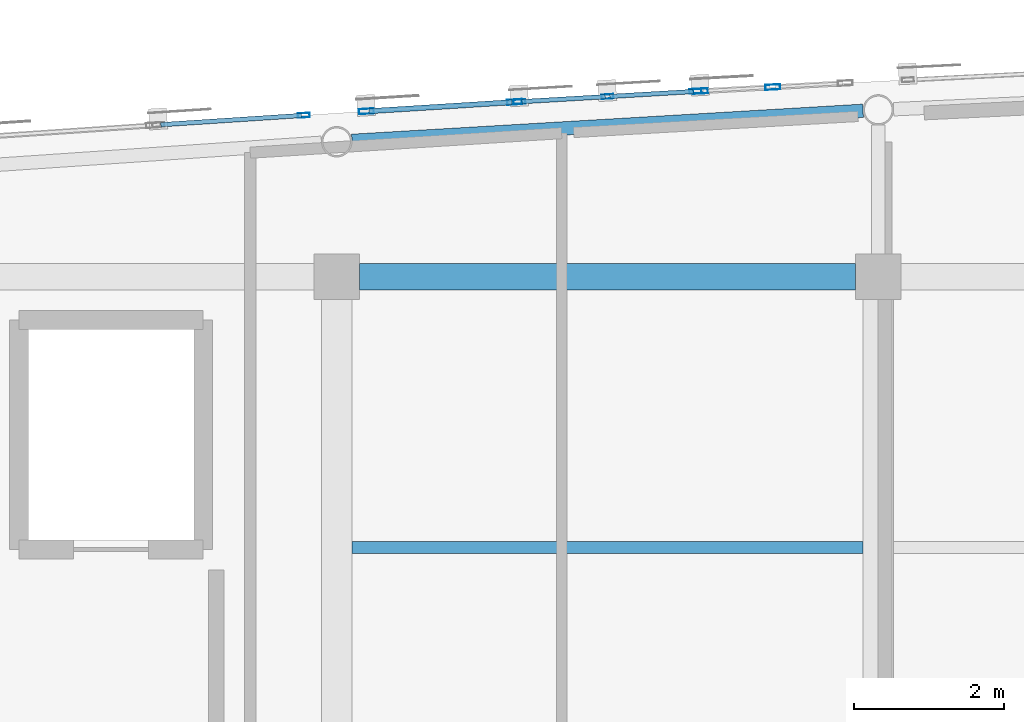
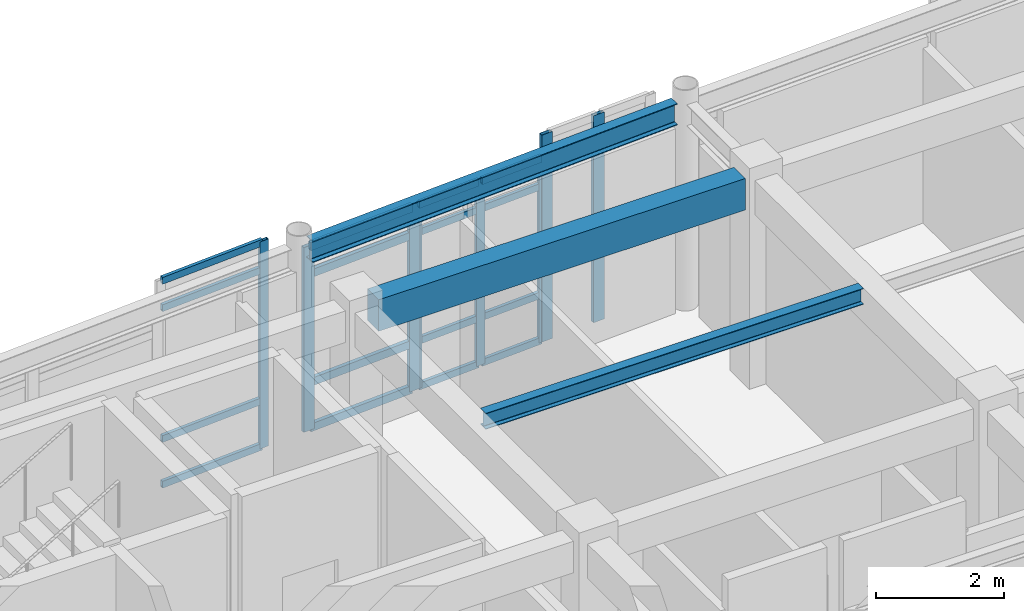
# One storey, part 42 of 113: 24 members, 3 beams, 4 elements without a shape of their own.
"""IFC4 building model written with IfcOpenShell, lengths in metres."""

from ifc_helpers import new_model, si_unit, direction, frame, origin, origin_2d, place, context, subcontext, project, spatial, rectangle, hollow_rectangle, i_section, extrude, material, layer, layer_set, material_profile, profile_set, type_object, element, aggregate, save


model = new_model("IFC4")

# Units and contexts
model_context = context("Model", 3, precision=1e-05, world=origin(), true_north=direction((0.0, 1.0)))
body_context = subcontext(model_context, "Body", "Model", "MODEL_VIEW")
ifc_project = project(units=[si_unit("LENGTHUNIT", "METRE"), si_unit("AREAUNIT", "SQUARE_METRE"), si_unit("VOLUMEUNIT", "CUBIC_METRE"), si_unit("PLANEANGLEUNIT", "RADIAN"), si_unit("MASSUNIT", "GRAM", prefix="KILO")], contexts=[model_context])

# Site, building, storey
site_placement = place(None, origin())
site = spatial("IfcSite", under=ifc_project, at=site_placement, CompositionType="ELEMENT")
building_placement = place(site_placement, origin())
building = spatial("IfcBuilding", under=site, at=building_placement, Name="Carrowvane Square Congress Hotel", CompositionType="ELEMENT")
storey_placement = place(building_placement, frame((0.0, 0.0, 15.0)))
storey = spatial("IfcBuildingStorey", under=building, at=storey_placement, Name="L03", CompositionType="ELEMENT", Elevation=15.0)

# Beams
ifc_material_1 = material(Name="Concrete C35/45", Category="concrete")
ifc_material_profile_1 = material_profile(ifc_material_1, rectangle(XDim=0.35009765625, YDim=0.60009765625, at=origin_2d()), Name="RC 350x600")
ifc_profile_set_1 = profile_set([ifc_material_profile_1], Name="Concrete C35/45")
beam_type_1 = type_object("IfcBeamType", Name="BM-RC-350x600", PredefinedType="BEAM", material=ifc_profile_set_1)
beam_1_placement = place(storey_placement, frame((69.5, 113.39990234375, 3.639892578125), z_axis=(1.0, 0.0, 0.0), x_axis=(0.0, 1.0, 0.0)))
element("IfcBeam", 1, at=beam_1_placement, inside=storey, type_object=beam_type_1, Name="L04 girder R/9-10", PredefinedType="BEAM", context=body_context, shape_type="SweptSolid", body=[
    extrude(rectangle(XDim=0.35009765625, YDim=0.60009765625, at=origin_2d()), origin(), (0.0, 0.0, 1.0), 6.60009765625),
])
ifc_material_2 = material(Name="Steel S355", Category="steel")
ifc_material_profile_2 = material_profile(ifc_material_2, i_section(OverallWidth=0.165771484375, OverallDepth=0.306640625, WebThickness=0.006591796875, FlangeThickness=0.01171875, FilletRadius=0.0087890625, at=origin_2d()), Name="UKB 305x165x46")
ifc_profile_set_2 = profile_set([ifc_material_profile_2], Name="Steel S355")
beam_type_2 = type_object("IfcBeamType", Name="BM-ST-UKB305", PredefinedType="JOIST", material=ifc_profile_set_2)
beam_2_placement = place(storey_placement, frame((69.39990234375, 109.800048828125, 3.78662109375), z_axis=(1.0, 0.0, 0.0), x_axis=(0.0, 1.0, 0.0)))
element("IfcBeam", 2, at=beam_2_placement, inside=storey, type_object=beam_type_2, Name="L04 secondary joist 9-10", PredefinedType="JOIST", context=body_context, shape_type="SweptSolid", body=[
    extrude(i_section(OverallWidth=0.165771484375, OverallDepth=0.306640625, WebThickness=0.006591796875, FlangeThickness=0.01171875, FilletRadius=0.0087890625, at=origin_2d()), origin(), (0.0, 0.0, 1.0), 6.800048828125),
])
ifc_material_3 = material(Name="Steel S355", Category="steel")
ifc_material_profile_3 = material_profile(ifc_material_3, i_section(OverallWidth=0.1787109375, OverallDepth=0.409423828125, WebThickness=0.0087890625, FlangeThickness=0.014404296875, FilletRadius=0.01025390625, at=origin_2d()), Name="UKB 406x178x67")
ifc_profile_set_3 = profile_set([ifc_material_profile_3], Name="Steel S355")
beam_type_3 = type_object("IfcBeamType", Name="BM-ST-UKB406", PredefinedType="BEAM", material=ifc_profile_set_3)
beam_3_placement = place(storey_placement, frame((69.40283203125, 115.206298828125, 3.7353515625), z_axis=(0.998276598904, 0.058684172325, 0.0), x_axis=(-0.058684172325, 0.998276598904, 0.0)))
element("IfcBeam", 3, at=beam_3_placement, inside=storey, type_object=beam_type_3, Name="L04 curved north spandrel", PredefinedType="BEAM", context=body_context, shape_type="SweptSolid", body=[
    extrude(i_section(OverallWidth=0.1787109375, OverallDepth=0.409423828125, WebThickness=0.0087890625, FlangeThickness=0.014404296875, FilletRadius=0.01025390625, at=origin_2d()), origin(), (0.0, 0.0, 1.0), 6.80615234375),
])

# Curtain wall, member
ifc_material_4 = material(Name="Anodised aluminium", Category="aluminium")
ifc_layer_1 = layer(ifc_material_4, 0.2099609375)
ifc_layer_set_1 = layer_set([ifc_layer_1], Name="Anodised aluminium")
curtain_wall_type_1 = type_object("IfcCurtainWallType", Name="CW-SYS-5", PredefinedType="NOTDEFINED", material=ifc_layer_set_1)
curtain_wall_1_placement = place(storey_placement, origin())
curtain_wall_1 = element("IfcCurtainWall", 4, at=curtain_wall_1_placement, inside=storey, type_object=curtain_wall_type_1, Name="L03 unitised curtain wall 204", PredefinedType="NOTDEFINED")
ifc_material_5 = material(Name="Anodised aluminium", Category="aluminium")
ifc_material_profile_4 = material_profile(ifc_material_5, hollow_rectangle(XDim=0.06005859375, YDim=0.159912109375, WallThickness=0.00390625, at=origin_2d()), Name="CW-ML 60x160x4")
ifc_profile_set_4 = profile_set([ifc_material_profile_4], Name="Anodised aluminium")
member_type_1 = type_object("IfcMemberType", Name="CW-MUL-1", PredefinedType="MULLION", material=ifc_profile_set_4)
member_1_placement = place(storey_placement, frame((68.761474609375, 115.545654296875, 0.0), z_axis=(0.0, 0.0, 1.0), x_axis=(-0.065412223074, 0.997858327155, 0.0)))
member_1 = element("IfcMember", 5, at=member_1_placement, type_object=member_type_1, Name="CW-5 mullion 2", PredefinedType="MULLION", context=body_context, shape_type="SweptSolid", body=[
    extrude(hollow_rectangle(XDim=0.06005859375, YDim=0.159912109375, WallThickness=0.00390625, at=origin_2d()), origin(), (0.0, 0.0, 1.0), 3.93994140625),
])

# Curtain wall, members
ifc_material_6 = material(Name="Anodised aluminium", Category="aluminium")
ifc_layer_2 = layer(ifc_material_6, 0.23388671875)
ifc_layer_set_2 = layer_set([ifc_layer_2], Name="Anodised aluminium")
curtain_wall_type_2 = type_object("IfcCurtainWallType", Name="CW-SYS-7", PredefinedType="NOTDEFINED", material=ifc_layer_set_2)
curtain_wall_2_placement = place(storey_placement, origin())
curtain_wall_2 = element("IfcCurtainWall", 6, at=curtain_wall_2_placement, inside=storey, type_object=curtain_wall_type_2, Name="L03 unitised curtain wall 206", PredefinedType="NOTDEFINED")
member_2_placement = place(storey_placement, frame((71.6298828125, 115.72607421875, 0.0), z_axis=(0.0, 0.0, 1.0), x_axis=(-0.058851249486, 0.998266763162, 0.0)))
member_2 = element("IfcMember", 7, at=member_2_placement, type_object=member_type_1, Name="CW-7 mullion 1", PredefinedType="MULLION", context=body_context, shape_type="SweptSolid", body=[
    extrude(hollow_rectangle(XDim=0.06005859375, YDim=0.159912109375, WallThickness=0.00390625, at=origin_2d()), origin(), (0.0, 0.0, 1.0), 3.515625),
])
member_3_placement = place(storey_placement, frame((72.800048828125, 115.795166015625, 0.0), z_axis=(0.0, 0.0, 1.0), x_axis=(-0.058851249486, 0.998266763162, 0.0)))
member_3 = element("IfcMember", 8, at=member_3_placement, type_object=member_type_1, Name="CW-7 mullion 2", PredefinedType="MULLION", context=body_context, shape_type="SweptSolid", body=[
    extrude(hollow_rectangle(XDim=0.06005859375, YDim=0.159912109375, WallThickness=0.00390625, at=origin_2d()), origin(), (0.0, 0.0, 1.0), 3.515625),
])
member_4_placement = place(storey_placement, frame((73.969970703125, 115.864013671875, 0.0), z_axis=(0.0, 0.0, 1.0), x_axis=(-0.058851249486, 0.998266763162, 0.0)))
member_4 = element("IfcMember", 9, at=member_4_placement, type_object=member_type_1, Name="CW-7 mullion 3", PredefinedType="MULLION", context=body_context, shape_type="SweptSolid", body=[
    extrude(hollow_rectangle(XDim=0.06005859375, YDim=0.159912109375, WallThickness=0.00390625, at=origin_2d()), origin(), (0.0, 0.0, 1.0), 3.515625),
])

ifc_material_7 = material(Name="Anodised aluminium", Category="aluminium")
ifc_layer_3 = layer(ifc_material_7, 0.221923828125)
ifc_layer_set_3 = layer_set([ifc_layer_3], Name="Anodised aluminium")
curtain_wall_type_3 = type_object("IfcCurtainWallType", Name="CW-SYS-6", PredefinedType="NOTDEFINED", material=ifc_layer_set_3)
curtain_wall_3_placement = place(storey_placement, origin())
curtain_wall_3 = element("IfcCurtainWall", 10, at=curtain_wall_3_placement, inside=storey, type_object=curtain_wall_type_3, Name="L03 unitised curtain wall 205", PredefinedType="NOTDEFINED")
ifc_material_8 = material(Name="Anodised aluminium", Category="aluminium")
ifc_material_profile_5 = material_profile(ifc_material_8, hollow_rectangle(XDim=0.070068359375, YDim=0.199951171875, WallThickness=0.0048828125, at=origin_2d()), Name="CW-ML 70x200x5")
ifc_profile_set_5 = profile_set([ifc_material_profile_5], Name="Anodised aluminium")
member_type_2 = type_object("IfcMemberType", Name="CW-MUL-2", PredefinedType="MULLION", material=ifc_profile_set_5)
member_5_placement = place(storey_placement, frame((69.594970703125, 115.598876953125, 0.0), z_axis=(0.0, 0.0, 1.0), x_axis=(-0.062397474952, 0.998051378998, 0.0)))
member_5 = element("IfcMember", 11, at=member_5_placement, type_object=member_type_2, Name="CW-6 mullion 1", PredefinedType="MULLION", context=body_context, shape_type="SweptSolid", body=[
    extrude(hollow_rectangle(XDim=0.070068359375, YDim=0.199951171875, WallThickness=0.0048828125, at=origin_2d()), origin(), (0.0, 0.0, 1.0), 3.515625),
])
member_6_placement = place(storey_placement, frame((71.565185546875, 115.72216796875, 0.0), z_axis=(0.0, 0.0, 1.0), x_axis=(-0.062397474952, 0.998051378998, 0.0)))
member_6 = element("IfcMember", 12, at=member_6_placement, type_object=member_type_2, Name="CW-6 mullion 2", PredefinedType="MULLION", context=body_context, shape_type="SweptSolid", body=[
    extrude(hollow_rectangle(XDim=0.070068359375, YDim=0.199951171875, WallThickness=0.0048828125, at=origin_2d()), origin(), (0.0, 0.0, 1.0), 3.515625),
])

ifc_material_9 = material(Name="Anodised aluminium", Category="aluminium")
ifc_layer_4 = layer(ifc_material_9, 0.24609375)
ifc_layer_set_4 = layer_set([ifc_layer_4], Name="Anodised aluminium")
curtain_wall_type_4 = type_object("IfcCurtainWallType", Name="CW-SYS-8", PredefinedType="NOTDEFINED", material=ifc_layer_set_4)
curtain_wall_4_placement = place(storey_placement, origin())
curtain_wall_4 = element("IfcCurtainWall", 13, at=curtain_wall_4_placement, inside=storey, type_object=curtain_wall_type_4, Name="L03 unitised curtain wall 207", PredefinedType="NOTDEFINED")
member_7_placement = place(storey_placement, frame((74.034912109375, 115.86767578125, 0.0), z_axis=(0.0, 0.0, 1.0), x_axis=(-0.054815980317, 0.998496473856, 0.0)))
member_7 = element("IfcMember", 14, at=member_7_placement, type_object=member_type_2, Name="CW-8 mullion 1", PredefinedType="MULLION", context=body_context, shape_type="SweptSolid", body=[
    extrude(hollow_rectangle(XDim=0.070068359375, YDim=0.199951171875, WallThickness=0.0048828125, at=origin_2d()), origin(), (0.0, 0.0, 1.0), 3.93994140625),
])
member_8_placement = place(storey_placement, frame((74.997802734375, 115.920654296875, 0.0), z_axis=(0.0, 0.0, 1.0), x_axis=(-0.054815980317, 0.998496473856, 0.0)))
member_8 = element("IfcMember", 15, at=member_8_placement, type_object=member_type_2, Name="CW-8 mullion 2", PredefinedType="MULLION", context=body_context, shape_type="SweptSolid", body=[
    extrude(hollow_rectangle(XDim=0.070068359375, YDim=0.199951171875, WallThickness=0.0048828125, at=origin_2d()), origin(), (0.0, 0.0, 1.0), 3.93994140625),
])
aggregate(curtain_wall_4, [member_7, member_8])

# Member
ifc_material_10 = material(Name="Anodised aluminium", Category="aluminium")
ifc_material_profile_6 = material_profile(ifc_material_10, hollow_rectangle(XDim=0.06005859375, YDim=0.1298828125, WallThickness=0.00390625, at=origin_2d()), Name="CW-TR 60x130x4")
ifc_profile_set_6 = profile_set([ifc_material_profile_6], Name="Anodised aluminium")
member_type_3 = type_object("IfcMemberType", Name="CW-TRN-1", PredefinedType="USERDEFINED", material=ifc_profile_set_6)
member_9_placement = place(storey_placement, frame((66.85986328125, 115.4208984375, 0.030029296875), z_axis=(0.997854858908, 0.065465109434, 0.0), x_axis=(-0.065465109434, 0.997854858908, 0.0)))
member_9 = element("IfcMember", 16, at=member_9_placement, type_object=member_type_3, Name="CW-5 transom 1.1", ObjectType="TRANSOM", PredefinedType="USERDEFINED", context=body_context, shape_type="SweptSolid", body=[
    extrude(hollow_rectangle(XDim=0.06005859375, YDim=0.1298828125, WallThickness=0.00390625, at=origin_2d()), origin(), (0.0, 0.0, 1.0), 1.875732421875),
])

member_10_placement = place(storey_placement, frame((66.85986328125, 115.4208984375, 0.89990234375), z_axis=(0.997854858908, 0.065465109434, 0.0), x_axis=(-0.065465109434, 0.997854858908, 0.0)))
member_10 = element("IfcMember", 17, at=member_10_placement, type_object=member_type_3, Name="CW-5 transom 1.2", ObjectType="TRANSOM", PredefinedType="USERDEFINED", context=body_context, shape_type="SweptSolid", body=[
    extrude(hollow_rectangle(XDim=0.06005859375, YDim=0.1298828125, WallThickness=0.00390625, at=origin_2d()), origin(), (0.0, 0.0, 1.0), 1.875732421875),
])

member_11_placement = place(storey_placement, frame((66.85986328125, 115.4208984375, 3.389892578125), z_axis=(0.997854858908, 0.065465109434, 0.0), x_axis=(-0.065465109434, 0.997854858908, 0.0)))
member_11 = element("IfcMember", 18, at=member_11_placement, type_object=member_type_3, Name="CW-5 transom 1.3", ObjectType="TRANSOM", PredefinedType="USERDEFINED", context=body_context, shape_type="SweptSolid", body=[
    extrude(hollow_rectangle(XDim=0.06005859375, YDim=0.1298828125, WallThickness=0.00390625, at=origin_2d()), origin(), (0.0, 0.0, 1.0), 1.875732421875),
])

member_12_placement = place(storey_placement, frame((66.85986328125, 115.4208984375, 3.909912109375), z_axis=(0.997854858908, 0.065465109434, 0.0), x_axis=(-0.065465109434, 0.997854858908, 0.0)))
member_12 = element("IfcMember", 19, at=member_12_placement, type_object=member_type_3, Name="CW-5 transom 1.4", ObjectType="TRANSOM", PredefinedType="USERDEFINED", context=body_context, shape_type="SweptSolid", body=[
    extrude(hollow_rectangle(XDim=0.06005859375, YDim=0.1298828125, WallThickness=0.00390625, at=origin_2d()), origin(), (0.0, 0.0, 1.0), 1.875732421875),
])

aggregate(curtain_wall_1, [member_1, member_9, member_10, member_11, member_12])

member_13_placement = place(storey_placement, frame((71.659912109375, 115.727783203125, 0.030029296875), z_axis=(0.998267553014, 0.058837850057, 0.0), x_axis=(-0.058837850057, 0.998267553014, 0.0)))
member_13 = element("IfcMember", 20, at=member_13_placement, type_object=member_type_3, Name="CW-7 transom 1.1", ObjectType="TRANSOM", PredefinedType="USERDEFINED", context=body_context, shape_type="SweptSolid", body=[
    extrude(hollow_rectangle(XDim=0.06005859375, YDim=0.1298828125, WallThickness=0.00390625, at=origin_2d()), origin(), (0.0, 0.0, 1.0), 1.112060546875),
])

member_14_placement = place(storey_placement, frame((71.659912109375, 115.727783203125, 0.89990234375), z_axis=(0.998267553014, 0.058837850057, 0.0), x_axis=(-0.058837850057, 0.998267553014, 0.0)))
member_14 = element("IfcMember", 21, at=member_14_placement, type_object=member_type_3, Name="CW-7 transom 1.2", ObjectType="TRANSOM", PredefinedType="USERDEFINED", context=body_context, shape_type="SweptSolid", body=[
    extrude(hollow_rectangle(XDim=0.06005859375, YDim=0.1298828125, WallThickness=0.00390625, at=origin_2d()), origin(), (0.0, 0.0, 1.0), 1.112060546875),
])

member_15_placement = place(storey_placement, frame((71.659912109375, 115.727783203125, 2.965576171875), z_axis=(0.998267553014, 0.058837850057, 0.0), x_axis=(-0.058837850057, 0.998267553014, 0.0)))
member_15 = element("IfcMember", 22, at=member_15_placement, type_object=member_type_3, Name="CW-7 transom 1.3", ObjectType="TRANSOM", PredefinedType="USERDEFINED", context=body_context, shape_type="SweptSolid", body=[
    extrude(hollow_rectangle(XDim=0.06005859375, YDim=0.1298828125, WallThickness=0.00390625, at=origin_2d()), origin(), (0.0, 0.0, 1.0), 1.112060546875),
])

member_16_placement = place(storey_placement, frame((71.659912109375, 115.727783203125, 3.485595703125), z_axis=(0.998267553014, 0.058837850057, 0.0), x_axis=(-0.058837850057, 0.998267553014, 0.0)))
member_16 = element("IfcMember", 23, at=member_16_placement, type_object=member_type_3, Name="CW-7 transom 1.4", ObjectType="TRANSOM", PredefinedType="USERDEFINED", context=body_context, shape_type="SweptSolid", body=[
    extrude(hollow_rectangle(XDim=0.06005859375, YDim=0.1298828125, WallThickness=0.00390625, at=origin_2d()), origin(), (0.0, 0.0, 1.0), 1.112060546875),
])

member_17_placement = place(storey_placement, frame((72.830078125, 115.796875, 0.030029296875), z_axis=(0.998267553014, 0.058837850057, 0.0), x_axis=(-0.058837850057, 0.998267553014, 0.0)))
member_17 = element("IfcMember", 24, at=member_17_placement, type_object=member_type_3, Name="CW-7 transom 2.1", ObjectType="TRANSOM", PredefinedType="USERDEFINED", context=body_context, shape_type="SweptSolid", body=[
    extrude(hollow_rectangle(XDim=0.06005859375, YDim=0.1298828125, WallThickness=0.00390625, at=origin_2d()), origin(), (0.0, 0.0, 1.0), 1.112060546875),
])

member_18_placement = place(storey_placement, frame((72.830078125, 115.796875, 0.89990234375), z_axis=(0.998267553014, 0.058837850057, 0.0), x_axis=(-0.058837850057, 0.998267553014, 0.0)))
member_18 = element("IfcMember", 25, at=member_18_placement, type_object=member_type_3, Name="CW-7 transom 2.2", ObjectType="TRANSOM", PredefinedType="USERDEFINED", context=body_context, shape_type="SweptSolid", body=[
    extrude(hollow_rectangle(XDim=0.06005859375, YDim=0.1298828125, WallThickness=0.00390625, at=origin_2d()), origin(), (0.0, 0.0, 1.0), 1.112060546875),
])

member_19_placement = place(storey_placement, frame((72.830078125, 115.796875, 2.965576171875), z_axis=(0.998267553014, 0.058837850057, 0.0), x_axis=(-0.058837850057, 0.998267553014, 0.0)))
member_19 = element("IfcMember", 26, at=member_19_placement, type_object=member_type_3, Name="CW-7 transom 2.3", ObjectType="TRANSOM", PredefinedType="USERDEFINED", context=body_context, shape_type="SweptSolid", body=[
    extrude(hollow_rectangle(XDim=0.06005859375, YDim=0.1298828125, WallThickness=0.00390625, at=origin_2d()), origin(), (0.0, 0.0, 1.0), 1.112060546875),
])

member_20_placement = place(storey_placement, frame((72.830078125, 115.796875, 3.485595703125), z_axis=(0.998267553014, 0.058837850057, 0.0), x_axis=(-0.058837850057, 0.998267553014, 0.0)))
member_20 = element("IfcMember", 27, at=member_20_placement, type_object=member_type_3, Name="CW-7 transom 2.4", ObjectType="TRANSOM", PredefinedType="USERDEFINED", context=body_context, shape_type="SweptSolid", body=[
    extrude(hollow_rectangle(XDim=0.06005859375, YDim=0.1298828125, WallThickness=0.00390625, at=origin_2d()), origin(), (0.0, 0.0, 1.0), 1.112060546875),
])

aggregate(curtain_wall_2, [member_2, member_3, member_4, member_13, member_14, member_15, member_16, member_17, member_18, member_19, member_20])

ifc_material_11 = material(Name="Anodised aluminium", Category="aluminium")
ifc_material_profile_7 = material_profile(ifc_material_11, hollow_rectangle(XDim=0.070068359375, YDim=0.14990234375, WallThickness=0.0048828125, at=origin_2d()), Name="CW-TR 70x150x5")
ifc_profile_set_7 = profile_set([ifc_material_profile_7], Name="Anodised aluminium")
member_type_4 = type_object("IfcMemberType", Name="CW-TRN-2", PredefinedType="USERDEFINED", material=ifc_profile_set_7)
member_21_placement = place(storey_placement, frame((69.6298828125, 115.60107421875, 0.034912109375), z_axis=(0.998048085199, 0.062450137157, 0.0), x_axis=(-0.062450137157, 0.998048085199, 0.0)))
member_21 = element("IfcMember", 28, at=member_21_placement, type_object=member_type_4, Name="CW-6 transom 1.1", ObjectType="TRANSOM", PredefinedType="USERDEFINED", context=body_context, shape_type="SweptSolid", body=[
    extrude(hollow_rectangle(XDim=0.070068359375, YDim=0.14990234375, WallThickness=0.0048828125, at=origin_2d()), origin(), (0.0, 0.0, 1.0), 1.90380859375),
])

member_22_placement = place(storey_placement, frame((69.6298828125, 115.60107421875, 0.89990234375), z_axis=(0.998048085199, 0.062450137157, 0.0), x_axis=(-0.062450137157, 0.998048085199, 0.0)))
member_22 = element("IfcMember", 29, at=member_22_placement, type_object=member_type_4, Name="CW-6 transom 1.2", ObjectType="TRANSOM", PredefinedType="USERDEFINED", context=body_context, shape_type="SweptSolid", body=[
    extrude(hollow_rectangle(XDim=0.070068359375, YDim=0.14990234375, WallThickness=0.0048828125, at=origin_2d()), origin(), (0.0, 0.0, 1.0), 1.90380859375),
])

member_23_placement = place(storey_placement, frame((69.6298828125, 115.60107421875, 2.965576171875), z_axis=(0.998048085199, 0.062450137157, 0.0), x_axis=(-0.062450137157, 0.998048085199, 0.0)))
member_23 = element("IfcMember", 30, at=member_23_placement, type_object=member_type_4, Name="CW-6 transom 1.3", ObjectType="TRANSOM", PredefinedType="USERDEFINED", context=body_context, shape_type="SweptSolid", body=[
    extrude(hollow_rectangle(XDim=0.070068359375, YDim=0.14990234375, WallThickness=0.0048828125, at=origin_2d()), origin(), (0.0, 0.0, 1.0), 1.90380859375),
])

member_24_placement = place(storey_placement, frame((69.6298828125, 115.60107421875, 3.480712890625), z_axis=(0.998048085199, 0.062450137157, 0.0), x_axis=(-0.062450137157, 0.998048085199, 0.0)))
member_24 = element("IfcMember", 31, at=member_24_placement, type_object=member_type_4, Name="CW-6 transom 1.4", ObjectType="TRANSOM", PredefinedType="USERDEFINED", context=body_context, shape_type="SweptSolid", body=[
    extrude(hollow_rectangle(XDim=0.070068359375, YDim=0.14990234375, WallThickness=0.0048828125, at=origin_2d()), origin(), (0.0, 0.0, 1.0), 1.90380859375),
])

aggregate(curtain_wall_3, [member_5, member_6, member_21, member_22, member_23, member_24])

save(model, "model.ifc")
